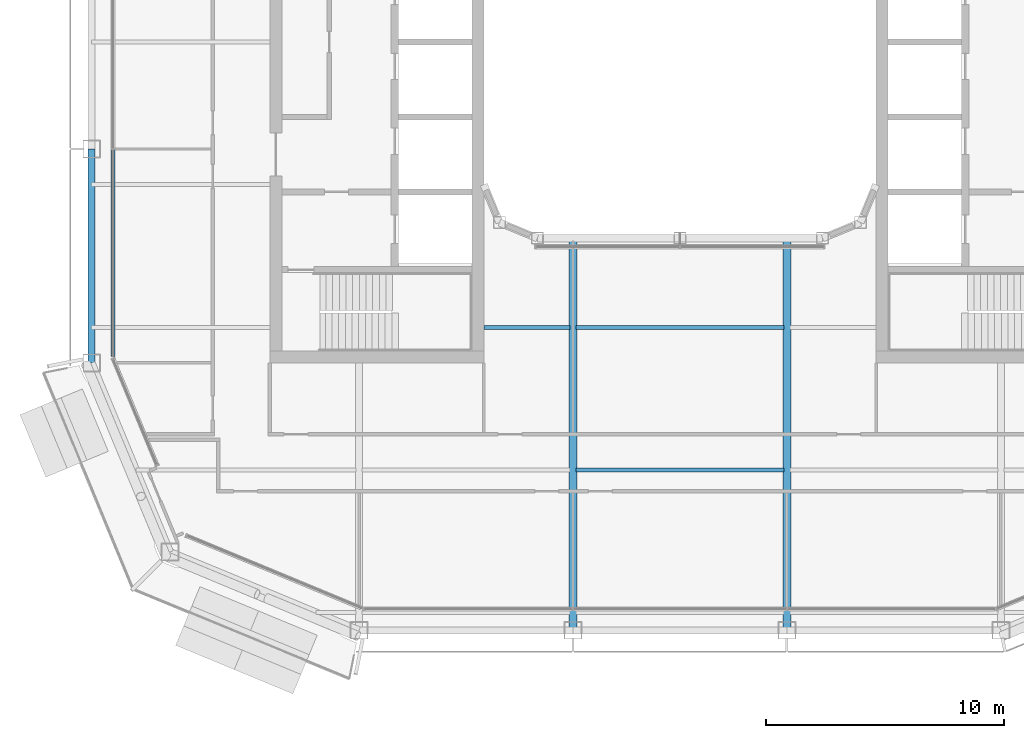
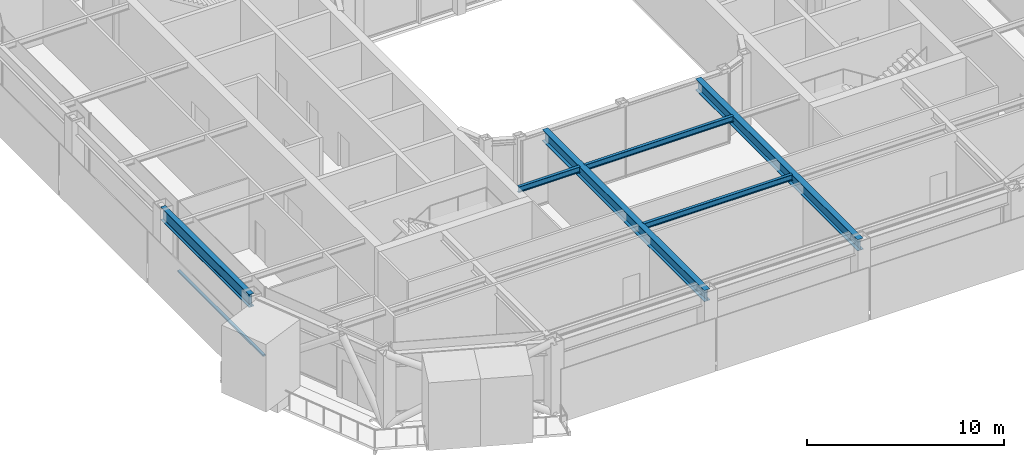
# One storey, part 3 of 20: 6 beams, 1 member, 1 element without a shape of its own.
"""IFC4 building model written with IfcOpenShell, lengths in metres."""

import ifcopenshell
import ifcopenshell.guid

model = None  # the IFC model being written
_history = None  # IfcOwnerHistory: only IFC2X3 demands one
_inside = {}  # id of a spatial element -> (the spatial element, [elements in it])
_under = {}  # id of a project, library or spatial element -> (it, [spatial elements below it])
_declared = {}  # id of a project -> (the project, [libraries it declares])
_typed = {}  # id of a type object -> (the type object, [elements of that type])
_made_of = {}  # id of a material, layer set ... -> (it, [elements and type objects made of it])


def new_model(schema):
    """Start an empty IFC model of exactly this schema.

    Asked for "IFC4X3", IfcOpenShell would pick the latest addendum, in which some entities
    have other attributes; the version numbers below select the first issue.
    IFC2X3 requires an IfcOwnerHistory on every rooted entity: one is made here for all.
    """
    global model, _history
    if schema == "IFC4X3":
        model = ifcopenshell.file(schema_version=(4, 3, 0, 0))
    else:
        model = ifcopenshell.file(schema=schema)
    _inside.clear()
    _under.clear()
    _declared.clear()
    _typed.clear()
    _made_of.clear()
    _history = None
    if model.schema == "IFC2X3":
        org = make("IfcOrganization", Name="unknown")
        user = make(
            "IfcPersonAndOrganization",
            ThePerson=make("IfcPerson", FamilyName="unknown"),
            TheOrganization=org,
        )
        app = make(
            "IfcApplication",
            ApplicationDeveloper=org,
            Version="unknown",
            ApplicationFullName="unknown",
            ApplicationIdentifier="unknown",
        )
        _history = make(
            "IfcOwnerHistory",
            OwningUser=user,
            OwningApplication=app,
            ChangeAction="ADDED",
            CreationDate=0,
        )
    return model


def make(cls, **values):
    """One entity of the class cls with the attributes given. An attribute that is None is left unset."""
    return model.create_entity(
        cls, **{name: value for name, value in values.items() if value is not None}
    )


def rooted(cls, **values):
    """An entity with a GlobalId (a new one), such as an element, a storey or a relation."""
    return make(cls, GlobalId=ifcopenshell.guid.new(), OwnerHistory=_history, **values)


def si_unit(unit_type, name, prefix=None):
    """IfcSIUnit, for example si_unit("LENGTHUNIT", "METRE", prefix="MILLI")."""
    return make("IfcSIUnit", UnitType=unit_type, Prefix=prefix, Name=name)


def assignment(units):
    """IfcUnitAssignment: the units of a project."""
    return None if units is None else make("IfcUnitAssignment", Units=units)


def point(xyz):
    """IfcCartesianPoint."""
    return None if xyz is None else make("IfcCartesianPoint", Coordinates=xyz)


def direction(xyz):
    """IfcDirection."""
    return None if xyz is None else make("IfcDirection", DirectionRatios=xyz)


def frame(location, z_axis=None, x_axis=None):
    """IfcAxis2Placement3D, a coordinate frame: its origin and axes. An axis left out is left unset."""
    return make(
        "IfcAxis2Placement3D",
        Location=point(location),
        Axis=direction(z_axis),
        RefDirection=direction(x_axis),
    )


def frame_2d(location, x_axis=None):
    """IfcAxis2Placement2D, a coordinate frame in the plane: its origin and x axis."""
    return make(
        "IfcAxis2Placement2D", Location=point(location), RefDirection=direction(x_axis)
    )


def origin():
    """The frame at (0, 0, 0) with its axes left unset."""
    return frame((0.0, 0.0, 0.0))


def origin_2d():
    """The frame at (0, 0) in the plane with its x axis left unset."""
    return frame_2d((0.0, 0.0))


def place(relative_to, where):
    """IfcLocalPlacement: puts the frame where relative to a parent placement (None: the world)."""
    return make(
        "IfcLocalPlacement", PlacementRelTo=relative_to, RelativePlacement=where
    )


def context(
    kind, dimensions, precision=None, world=None, true_north=None, identifier=None
):
    """IfcGeometricRepresentationContext, for example the 3D "Model" context."""
    return make(
        "IfcGeometricRepresentationContext",
        ContextIdentifier=identifier,
        ContextType=kind,
        CoordinateSpaceDimension=dimensions,
        Precision=precision,
        WorldCoordinateSystem=world,
        TrueNorth=true_north,
    )


def subcontext(parent, identifier, kind, view, scale=None):
    """IfcGeometricRepresentationSubContext, for example "Body" below "Model"."""
    return make(
        "IfcGeometricRepresentationSubContext",
        ContextIdentifier=identifier,
        ContextType=kind,
        ParentContext=parent,
        TargetScale=scale,
        TargetView=view,
    )


def project(units=None, contexts=None):
    """IfcProject with its units and contexts."""
    return rooted(
        "IfcProject",
        Name="project",
        RepresentationContexts=contexts,
        UnitsInContext=assignment(units),
    )


def spatial(cls, under=None, at=None, **own):
    """A site, building, storey or space (cls), placed at a placement, below another one or the project."""
    s = rooted(cls, ObjectPlacement=at, **own)
    if under is not None:
        _under.setdefault(under.id(), (under, []))[1].append(s)
    return s


def profile(cls, at=None, kind="AREA", **sizes):
    """A parametric profile (cls). Its sizes go by their IFC names, for example OverallWidth=200.0."""
    return make(cls, ProfileType=kind, Position=at, **sizes)


def rectangle(**sizes):
    """IfcRectangleProfileDef."""
    return profile("IfcRectangleProfileDef", **sizes)


def i_section(**sizes):
    """IfcIShapeProfileDef."""
    return profile("IfcIShapeProfileDef", **sizes)


def extrude(swept, where, along, depth):
    """IfcExtrudedAreaSolid: the profile swept, set in the frame where, extruded along a direction by depth."""
    return make(
        "IfcExtrudedAreaSolid",
        SweptArea=swept,
        Position=where,
        ExtrudedDirection=direction(along),
        Depth=depth,
    )


def shape(context_of_items, identifier, shape_type, items):
    """IfcShapeRepresentation: the items that make up one representation, for example the "Body"."""
    return make(
        "IfcShapeRepresentation",
        ContextOfItems=context_of_items,
        RepresentationIdentifier=identifier,
        RepresentationType=shape_type,
        Items=items,
    )


def material(Name=None, Category=None):
    """IfcMaterial."""
    return make("IfcMaterial", Name=Name, Category=Category)


def layer(
    of_material, thickness, ventilated=None, Name=None, Category=None, Priority=None
):
    """IfcMaterialLayer: one layer of a wall or slab, of a material (None: an air gap)."""
    return make(
        "IfcMaterialLayer",
        Material=of_material,
        LayerThickness=thickness,
        IsVentilated=ventilated,
        Name=Name,
        Category=Category,
        Priority=Priority,
    )


def layer_set(layers, Name=None):
    """IfcMaterialLayerSet."""
    return make("IfcMaterialLayerSet", MaterialLayers=layers, LayerSetName=Name)


def material_profile(
    of_material, cross_section, Name=None, Category=None, Priority=None
):
    """IfcMaterialProfile: a cross section and its material."""
    return make(
        "IfcMaterialProfile",
        Name=Name,
        Material=of_material,
        Profile=cross_section,
        Priority=Priority,
        Category=Category,
    )


def profile_set(profiles, Name=None, composite=None):
    """IfcMaterialProfileSet."""
    return make(
        "IfcMaterialProfileSet",
        Name=Name,
        MaterialProfiles=profiles,
        CompositeProfile=composite,
    )


def made_of(thing, what):
    """Note that an element or type object is made of a material, layer set ...; save() writes the relation."""
    if what is not None:
        _made_of.setdefault(what.id(), (what, []))[1].append(thing)
    return thing


def type_object(cls, material=None, **own):
    """A type object (cls), such as IfcWallType, which elements share."""
    return made_of(rooted(cls, **own), material)


def element(
    cls,
    number,
    at=None,
    inside=None,
    cuts=None,
    type_object=None,
    material=None,
    context=None,
    identifier="Body",
    shape_type=None,
    held_by="IfcProductDefinitionShape",
    body=None,
    shapes=None,
    **own,
):
    """One element of the class cls, such as IfcWall. Its Tag is "e" and its number.

    at: its placement. inside: the storey or other place that contains it. cuts: it is an
    opening in that element (IfcRelVoidsElement). A single representation is given by context,
    identifier, shape_type and body (its items); several are given by shapes. held_by: the class
    of the entity that holds the representations. save() writes the other relations.
    """
    e = rooted(cls, Tag="e%d" % number, ObjectPlacement=at, **own)
    if body is not None:
        shapes = [shape(context, identifier, shape_type, body)]
    if shapes is not None:
        e.Representation = make(held_by, Representations=shapes)
    if inside is not None:
        _inside.setdefault(inside.id(), (inside, []))[1].append(e)
    if cuts is not None:
        rooted(
            "IfcRelVoidsElement", RelatingBuildingElement=cuts, RelatedOpeningElement=e
        )
    if type_object is not None:
        _typed.setdefault(type_object.id(), (type_object, []))[1].append(e)
    return made_of(e, material)


def aggregate(whole, parts):
    """IfcRelAggregates: a whole, such as a stair, and the parts it consists of."""
    return rooted("IfcRelAggregates", RelatingObject=whole, RelatedObjects=parts)


def save(model, path):
    """Write the relations noted so far, then the file.

    IfcRelAggregates (storeys below a building ...), IfcRelContainedInSpatialStructure (elements
    in a storey), IfcRelDefinesByType, IfcRelAssociatesMaterial and IfcRelDeclares: one each for
    every whole, place, type object, material and project.
    """
    for whole, parts in _under.values():
        aggregate(whole, parts)
    for where, things in _inside.values():
        rooted(
            "IfcRelContainedInSpatialStructure",
            RelatedElements=things,
            RelatingStructure=where,
        )
    for kind, things in _typed.values():
        rooted("IfcRelDefinesByType", RelatedObjects=things, RelatingType=kind)
    for what, things in _made_of.values():
        rooted("IfcRelAssociatesMaterial", RelatedObjects=things, RelatingMaterial=what)
    for by, libraries in _declared.values():
        rooted("IfcRelDeclares", RelatingContext=by, RelatedDefinitions=libraries)
    model.write(path)


model = new_model("IFC4")

# Units and contexts
model_context = context("Model", 3, precision=1e-05, world=origin(), true_north=direction((0.0, 1.0)))
body_context = subcontext(model_context, "Body", "Model", "MODEL_VIEW")
ifc_project = project(units=[si_unit("LENGTHUNIT", "METRE"), si_unit("AREAUNIT", "SQUARE_METRE"), si_unit("VOLUMEUNIT", "CUBIC_METRE"), si_unit("PLANEANGLEUNIT", "RADIAN"), si_unit("MASSUNIT", "GRAM", prefix="KILO")], contexts=[model_context])

# Site, building, storey
site_placement = place(None, origin())
site = spatial("IfcSite", under=ifc_project, at=site_placement, CompositionType="ELEMENT")
building_placement = place(site_placement, origin())
building = spatial("IfcBuilding", under=site, at=building_placement, Name="Siwar Civic Tower", CompositionType="ELEMENT")
storey_placement = place(building_placement, frame((0.0, 0.0, 316.699951171875)))
storey = spatial("IfcBuildingStorey", under=building, at=storey_placement, Name="L68", CompositionType="ELEMENT", Elevation=316.699951171875)

# Curtain wall, member
ifc_material_1 = material(Name="Aluminium and glass", Category="aluminium")
ifc_layer = layer(ifc_material_1, 0.159912109375)
ifc_layer_set = layer_set([ifc_layer], Name="Aluminium and glass")
curtain_wall_type = type_object("IfcCurtainWallType", Name="ENV-CW-D", PredefinedType="NOTDEFINED", material=ifc_layer_set)
curtain_wall_placement = place(storey_placement, origin())
curtain_wall = element("IfcCurtainWall", 1, at=curtain_wall_placement, inside=storey, type_object=curtain_wall_type, Name="Curtain wall D W", PredefinedType="NOTDEFINED")
ifc_material_2 = material(Name="Aluminium 6063-T6", Category="aluminium")
ifc_material_profile_1 = material_profile(ifc_material_2, rectangle(XDim=0.159912109375, YDim=0.10009765625, at=origin_2d()), Name="AL 160x100")
ifc_profile_set_1 = profile_set([ifc_material_profile_1], Name="Aluminium 6063-T6")
member_type = type_object("IfcMemberType", Name="ENV-TRANSOM-D", PredefinedType="USERDEFINED", material=ifc_profile_set_1)
member_placement = place(storey_placement, frame((-23.85009765625, -4.530029296875, 0.050048828125), z_axis=(0.0, -1.0, 0.0), x_axis=(1.0, 0.0, 0.0)))
member = element("IfcMember", 2, at=member_placement, type_object=member_type, Name="Transom D W 3", ObjectType="TRANSOM", PredefinedType="USERDEFINED", context=body_context, shape_type="SweptSolid", body=[
    extrude(rectangle(XDim=0.159912109375, YDim=0.10009765625, at=origin_2d()), origin(), (0.0, 0.0, 1.0), 8.693115234375),
])
aggregate(curtain_wall, [member])

# Beams
ifc_material_3 = material(Name="Steel S355", Category="steel")
ifc_material_profile_2 = material_profile(ifc_material_3, i_section(OverallWidth=0.169921875, OverallDepth=0.360107421875, WebThickness=0.008056640625, FlangeThickness=0.0126953125, FilletRadius=0.01806640625, at=origin_2d()), Name="IPE360")
ifc_profile_set_2 = profile_set([ifc_material_profile_2], Name="Steel S355")
beam_type_1 = type_object("IfcBeamType", Name="STR-FB-IPE360", PredefinedType="JOIST", material=ifc_profile_set_2)
beam_1_placement = place(storey_placement, frame((-4.3701171875, -18.0, 4.170166015625), z_axis=(1.0, 0.0, 0.0), x_axis=(0.0, 1.0, 0.0)))
element("IfcBeam", 3, at=beam_1_placement, inside=storey, type_object=beam_type_1, Name="L68/bm/F008", PredefinedType="JOIST", context=body_context, shape_type="SweptSolid", body=[
    extrude(i_section(OverallWidth=0.169921875, OverallDepth=0.360107421875, WebThickness=0.008056640625, FlangeThickness=0.0126953125, FilletRadius=0.01806640625, at=origin_2d()), origin(), (0.0, 0.0, 1.0), 8.740234375),
])
beam_2_placement = place(storey_placement, frame((-8.25, -12.0, 4.170166015625), z_axis=(1.0, 0.0, 0.0), x_axis=(0.0, 1.0, 0.0)))
element("IfcBeam", 4, at=beam_2_placement, inside=storey, type_object=beam_type_1, Name="L68/bm/F012", PredefinedType="JOIST", context=body_context, shape_type="SweptSolid", body=[
    extrude(i_section(OverallWidth=0.169921875, OverallDepth=0.360107421875, WebThickness=0.008056640625, FlangeThickness=0.0126953125, FilletRadius=0.01806640625, at=origin_2d()), origin(), (0.0, 0.0, 1.0), 3.6201171875),
])
beam_3_placement = place(storey_placement, frame((-4.3701171875, -12.0, 4.170166015625), z_axis=(1.0, 0.0, 0.0), x_axis=(0.0, 1.0, 0.0)))
element("IfcBeam", 5, at=beam_3_placement, inside=storey, type_object=beam_type_1, Name="L68/bm/F013", PredefinedType="JOIST", context=body_context, shape_type="SweptSolid", body=[
    extrude(i_section(OverallWidth=0.169921875, OverallDepth=0.360107421875, WebThickness=0.008056640625, FlangeThickness=0.0126953125, FilletRadius=0.01806640625, at=origin_2d()), origin(), (0.0, 0.0, 1.0), 8.740234375),
])
ifc_material_4 = material(Name="Steel S355", Category="steel")
ifc_material_profile_3 = material_profile(ifc_material_4, i_section(OverallWidth=0.340087890625, OverallDepth=0.699951171875, WebThickness=0.013916015625, FlangeThickness=0.030029296875, at=origin_2d()), Name="PG700x340x14x30")
ifc_profile_set_3 = profile_set([ifc_material_profile_3], Name="Steel S355")
beam_type_2 = type_object("IfcBeamType", Name="STR-PG-PG700x340x14x30", PredefinedType="BEAM", material=ifc_profile_set_3)
for number, where, z_axis, x_axis, name in (
    (6, (-4.5, -24.75, 4.0), (0.0, 1.0, 0.0), (-1.0, 0.0, 0.0), "L68/bm/G03"),
    (7, (4.5, -24.75, 4.0), (0.0, 1.0, 0.0), (-1.0, 0.0, 0.0), "L68/bm/G05"),
):
    element("IfcBeam", number, at=place(storey_placement, frame(where, z_axis=z_axis, x_axis=x_axis)), inside=storey, type_object=beam_type_2, Name=name, PredefinedType="BEAM", context=body_context, shape_type="SweptSolid", body=[
        extrude(i_section(OverallWidth=0.340087890625, OverallDepth=0.699951171875, WebThickness=0.013916015625, FlangeThickness=0.030029296875, at=origin_2d()), origin(), (0.0, 0.0, 1.0), 16.5),
    ])
ifc_material_5 = material(Name="Steel S355", Category="steel")
ifc_material_profile_4 = material_profile(ifc_material_5, i_section(OverallWidth=0.300048828125, OverallDepth=0.800048828125, WebThickness=0.017578125, FlangeThickness=0.032958984375, FilletRadius=0.030029296875, at=origin_2d()), Name="HEB800")
ifc_profile_set_4 = profile_set([ifc_material_profile_4], Name="Steel S355")
beam_type_3 = type_object("IfcBeamType", Name="STR-SB-HEB800", PredefinedType="BEAM", material=ifc_profile_set_4)
beam_4_placement = place(storey_placement, frame((-24.75, -4.5, 3.949951171875), z_axis=(0.0, -1.0, 0.0), x_axis=(1.0, 0.0, 0.0)))
element("IfcBeam", 8, at=beam_4_placement, inside=storey, type_object=beam_type_3, Name="L68/bm/SW-2", PredefinedType="BEAM", context=body_context, shape_type="SweptSolid", body=[
    extrude(i_section(OverallWidth=0.300048828125, OverallDepth=0.800048828125, WebThickness=0.017578125, FlangeThickness=0.032958984375, FilletRadius=0.030029296875, at=origin_2d()), origin(), (0.0, 0.0, 1.0), 9.0),
])

save(model, "model.ifc")
